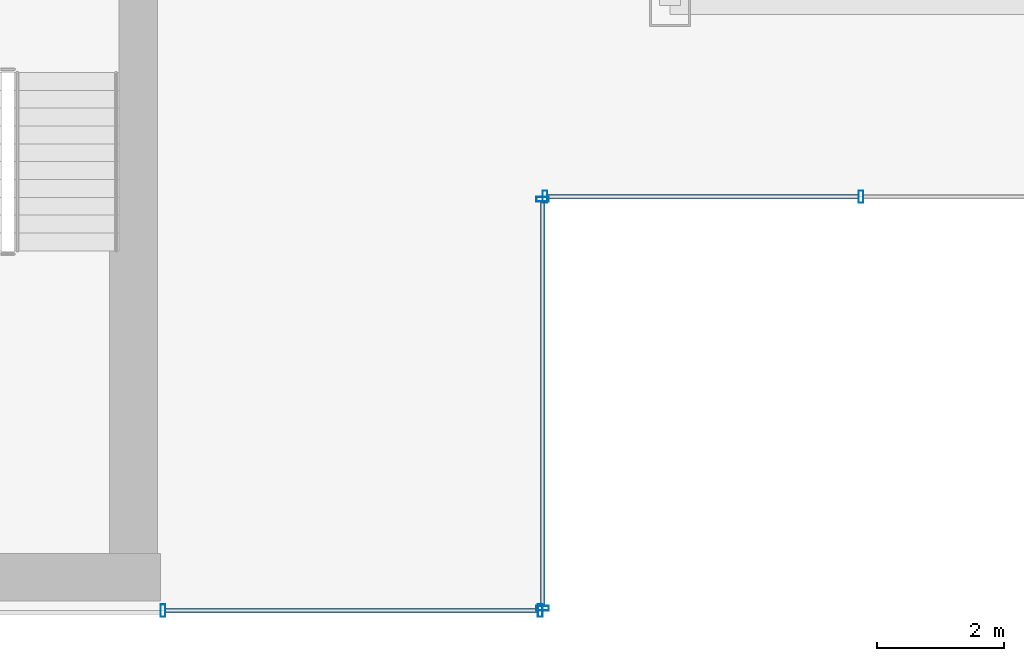
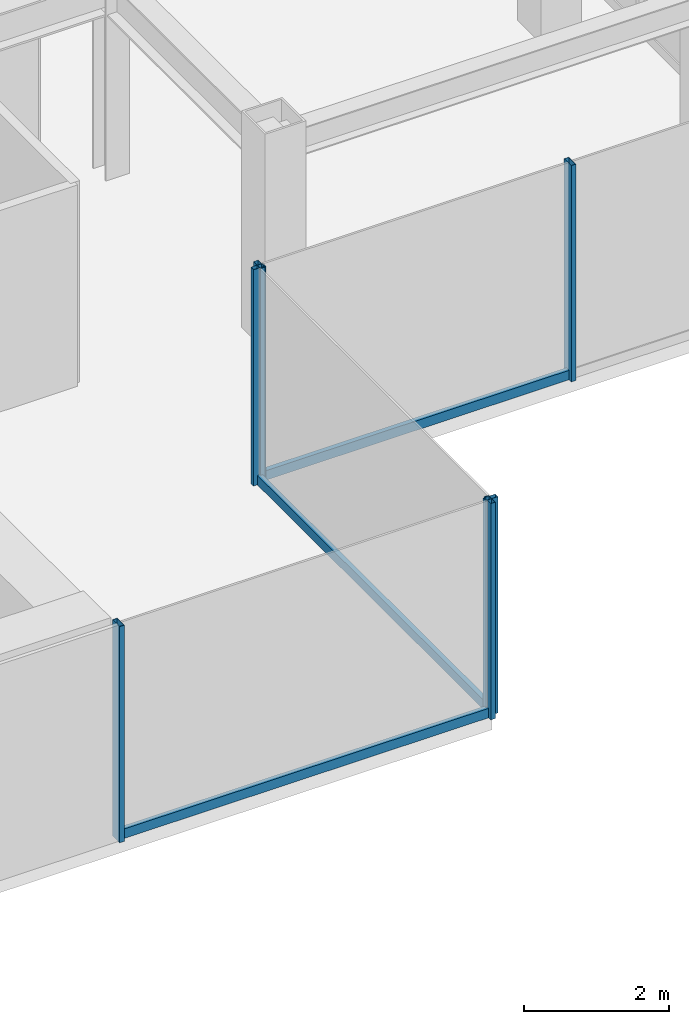
# One storey, part 9 of 25: 9 members, 3 elements without a shape of their own.
"""IFC4 building model written with IfcOpenShell, lengths in metres."""

from ifc_helpers import new_model, si_unit, derived_unit, direction, frame, origin, origin_2d, place, context, subcontext, project, spatial, hollow_rectangle, extrude, source, transform, mapped, material, material_profile, profile_set, type_object, element, aggregate, save


model = new_model("IFC4")

# Units and contexts
model_context = context("Model", 3, precision=1e-05, world=origin(), true_north=direction((0.0, 1.0)))
body_context = subcontext(model_context, "Body", "Model", "MODEL_VIEW")
ifc_project = project(units=[si_unit("LENGTHUNIT", "METRE"), si_unit("AREAUNIT", "SQUARE_METRE"), si_unit("VOLUMEUNIT", "CUBIC_METRE"), si_unit("PLANEANGLEUNIT", "RADIAN"), si_unit("MASSUNIT", "GRAM", prefix="KILO"), derived_unit("THERMALTRANSMITTANCEUNIT", [(si_unit("POWERUNIT", "WATT"), 1), (si_unit("LENGTHUNIT", "METRE"), -2), (si_unit("THERMODYNAMICTEMPERATUREUNIT", "KELVIN"), -1)])], contexts=[model_context])

# Site, building, storey
site_placement = place(None, origin())
site = spatial("IfcSite", under=ifc_project, at=site_placement, CompositionType="ELEMENT")
building_placement = place(site_placement, origin())
building = spatial("IfcBuilding", under=site, at=building_placement, Name="Skarnbrae Concourse Arena and Tower", CompositionType="ELEMENT")
storey_placement = place(building_placement, frame((0.0, 0.0, 173.449951171875)))
storey = spatial("IfcBuildingStorey", under=building, at=storey_placement, Name="L44", CompositionType="ELEMENT", Elevation=173.449951171875)

# Curtain wall, members
ifc_material = material(Name="Bronze anodised aluminium 6063-T6", Category="aluminium")
curtain_wall_type = type_object("IfcCurtainWallType", Name="CW-SYS-04-MIDZONE", PredefinedType="USERDEFINED", material=ifc_material)
curtain_wall_1_placement = place(storey_placement, origin())
curtain_wall_1 = element("IfcCurtainWall", 1, at=curtain_wall_1_placement, inside=storey, type_object=curtain_wall_type, Name="L44 Unitised curtain wall CW-L44-SE-SPINE", ObjectType="UNITISED CURTAIN WALL", PredefinedType="USERDEFINED")
ifc_material_profile_1 = material_profile(ifc_material, hollow_rectangle(XDim=0.074951171875, YDim=0.195068359375, WallThickness=0.00439453125, at=origin_2d()), Name="ALU-MULL-75X195")
ifc_profile_set_1 = profile_set([ifc_material_profile_1], Name="Bronze anodised aluminium 6063-T6")
member_type_1 = type_object("IfcMemberType", Name="CWM-CW-04", PredefinedType="MULLION", material=ifc_profile_set_1)
shared_shape_1 = source(origin(), body_context, "Body", "SweptSolid", [
    extrude(hollow_rectangle(XDim=0.074951171875, YDim=0.195068359375, WallThickness=0.00439453125, at=origin_2d()), origin(), (0.0, 0.0, 1.0), 3.650146484375),
])
member_1_placement = place(storey_placement, frame((34.03759765625, 0.0, 0.0), z_axis=(0.0, 0.0, 1.0), x_axis=(1.0, 0.0, 0.0)))
member_1 = element("IfcMember", 2, at=member_1_placement, type_object=member_type_1, Name="CW-L44-SE-SPINE Mullion 1", PredefinedType="MULLION", context=body_context, shape_type="MappedRepresentation", body=[
    mapped(shared_shape_1, transform((0.0, 0.0, 0.0))),
])
member_2_placement = place(storey_placement, frame((39.96240234375, 0.0, 0.0), z_axis=(0.0, 0.0, 1.0), x_axis=(1.0, 0.0, 0.0)))
member_2 = element("IfcMember", 3, at=member_2_placement, type_object=member_type_1, Name="CW-L44-SE-SPINE Mullion 2", PredefinedType="MULLION", context=body_context, shape_type="MappedRepresentation", body=[
    mapped(shared_shape_1, transform((0.0, 0.0, 0.0))),
])

curtain_wall_2_placement = place(storey_placement, origin())
curtain_wall_2 = element("IfcCurtainWall", 4, at=curtain_wall_2_placement, inside=storey, type_object=curtain_wall_type, Name="L44 Unitised curtain wall CW-L44-E02", ObjectType="UNITISED CURTAIN WALL", PredefinedType="USERDEFINED")
member_3_placement = place(storey_placement, frame((40.0, 0.03759765625, 0.0), z_axis=(0.0, 0.0, 1.0), x_axis=(0.0, 1.0, 0.0)))
member_3 = element("IfcMember", 5, at=member_3_placement, type_object=member_type_1, Name="CW-L44-E02 Mullion 1", PredefinedType="MULLION", context=body_context, shape_type="MappedRepresentation", body=[
    mapped(shared_shape_1, transform((0.0, 0.0, 0.0))),
])
member_4_placement = place(storey_placement, frame((40.0, 6.46240234375, 0.0), z_axis=(0.0, 0.0, 1.0), x_axis=(0.0, 1.0, 0.0)))
member_4 = element("IfcMember", 6, at=member_4_placement, type_object=member_type_1, Name="CW-L44-E02 Mullion 2", PredefinedType="MULLION", context=body_context, shape_type="MappedRepresentation", body=[
    mapped(shared_shape_1, transform((0.0, 0.0, 0.0))),
])

curtain_wall_3_placement = place(storey_placement, origin())
curtain_wall_3 = element("IfcCurtainWall", 7, at=curtain_wall_3_placement, inside=storey, type_object=curtain_wall_type, Name="L44 Unitised curtain wall CW-L44-E03", ObjectType="UNITISED CURTAIN WALL", PredefinedType="USERDEFINED")
member_5_placement = place(storey_placement, frame((40.03759765625, 6.5, 0.0), z_axis=(0.0, 0.0, 1.0), x_axis=(1.0, 0.0, 0.0)))
member_5 = element("IfcMember", 8, at=member_5_placement, type_object=member_type_1, Name="CW-L44-E03 Mullion 1", PredefinedType="MULLION", context=body_context, shape_type="MappedRepresentation", body=[
    mapped(shared_shape_1, transform((0.0, 0.0, 0.0))),
])
member_6_placement = place(storey_placement, frame((45.0, 6.5, 0.0), z_axis=(0.0, 0.0, 1.0), x_axis=(1.0, 0.0, 0.0)))
member_6 = element("IfcMember", 9, at=member_6_placement, type_object=member_type_1, Name="CW-L44-E03 Mullion 2", PredefinedType="MULLION", context=body_context, shape_type="MappedRepresentation", body=[
    mapped(shared_shape_1, transform((0.0, 0.0, 0.0))),
])
ifc_material_profile_2 = material_profile(ifc_material, hollow_rectangle(XDim=0.074951171875, YDim=0.159912109375, WallThickness=0.00439453125, at=origin_2d()), Name="ALU-TRAN-75X160")
ifc_profile_set_2 = profile_set([ifc_material_profile_2], Name="Bronze anodised aluminium 6063-T6")
member_type_2 = type_object("IfcMemberType", Name="CWT-CW-04", PredefinedType="USERDEFINED", material=ifc_profile_set_2)
shared_shape_2 = source(origin(), body_context, "Body", "SweptSolid", [
    extrude(hollow_rectangle(XDim=0.074951171875, YDim=0.159912109375, WallThickness=0.00439453125, at=origin_2d()), origin(), (0.0, 0.0, 1.0), 4.887451171875),
])
member_7_placement = place(storey_placement, frame((40.074951171875, 6.5, 0.080078125), z_axis=(1.0, 0.0, 0.0), x_axis=(0.0, 1.0, 0.0)))
member_7 = element("IfcMember", 10, at=member_7_placement, type_object=member_type_2, Name="CW-L44-E03 Transom 1", ObjectType="TRANSOM", PredefinedType="USERDEFINED", context=body_context, shape_type="MappedRepresentation", body=[
    mapped(shared_shape_2, transform((0.0, 0.0, 0.0))),
])
aggregate(curtain_wall_3, [member_5, member_6, member_7])

# Member
shared_shape_3 = source(origin(), body_context, "Body", "SweptSolid", [
    extrude(hollow_rectangle(XDim=0.074951171875, YDim=0.159912109375, WallThickness=0.00439453125, at=origin_2d()), origin(), (0.0, 0.0, 1.0), 5.85009765625),
])
member_8_placement = place(storey_placement, frame((34.074951171875, 0.0, 0.080078125), z_axis=(1.0, 0.0, 0.0), x_axis=(0.0, 1.0, 0.0)))
member_8 = element("IfcMember", 11, at=member_8_placement, type_object=member_type_2, Name="CW-L44-SE-SPINE Transom 1", ObjectType="TRANSOM", PredefinedType="USERDEFINED", context=body_context, shape_type="MappedRepresentation", body=[
    mapped(shared_shape_3, transform((0.0, 0.0, 0.0))),
])

aggregate(curtain_wall_1, [member_1, member_2, member_8])

shared_shape_4 = source(origin(), body_context, "Body", "SweptSolid", [
    extrude(hollow_rectangle(XDim=0.074951171875, YDim=0.159912109375, WallThickness=0.00439453125, at=origin_2d()), origin(), (0.0, 0.0, 1.0), 6.35009765625),
])
member_9_placement = place(storey_placement, frame((40.0, 0.074951171875, 0.080078125), z_axis=(0.0, 1.0, 0.0), x_axis=(-1.0, 0.0, 0.0)))
member_9 = element("IfcMember", 12, at=member_9_placement, type_object=member_type_2, Name="CW-L44-E02 Transom 1", ObjectType="TRANSOM", PredefinedType="USERDEFINED", context=body_context, shape_type="MappedRepresentation", body=[
    mapped(shared_shape_4, transform((0.0, 0.0, 0.0))),
])

aggregate(curtain_wall_2, [member_3, member_4, member_9])

save(model, "model.ifc")
